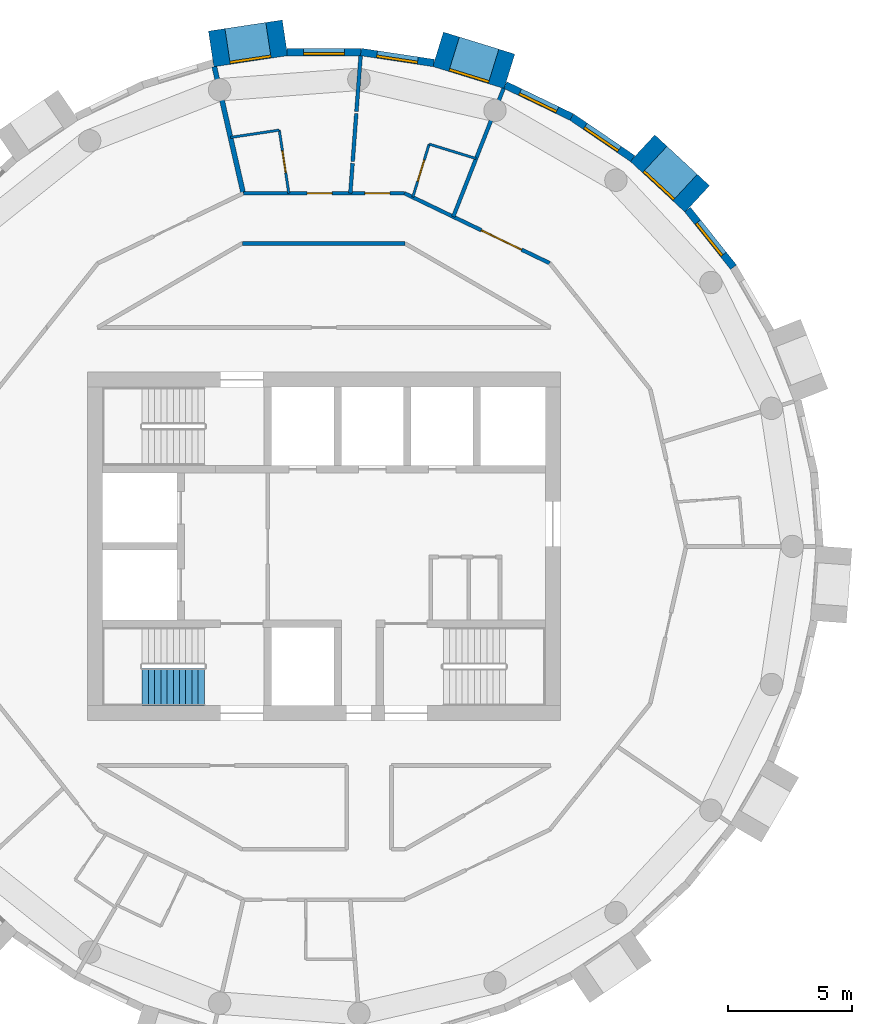
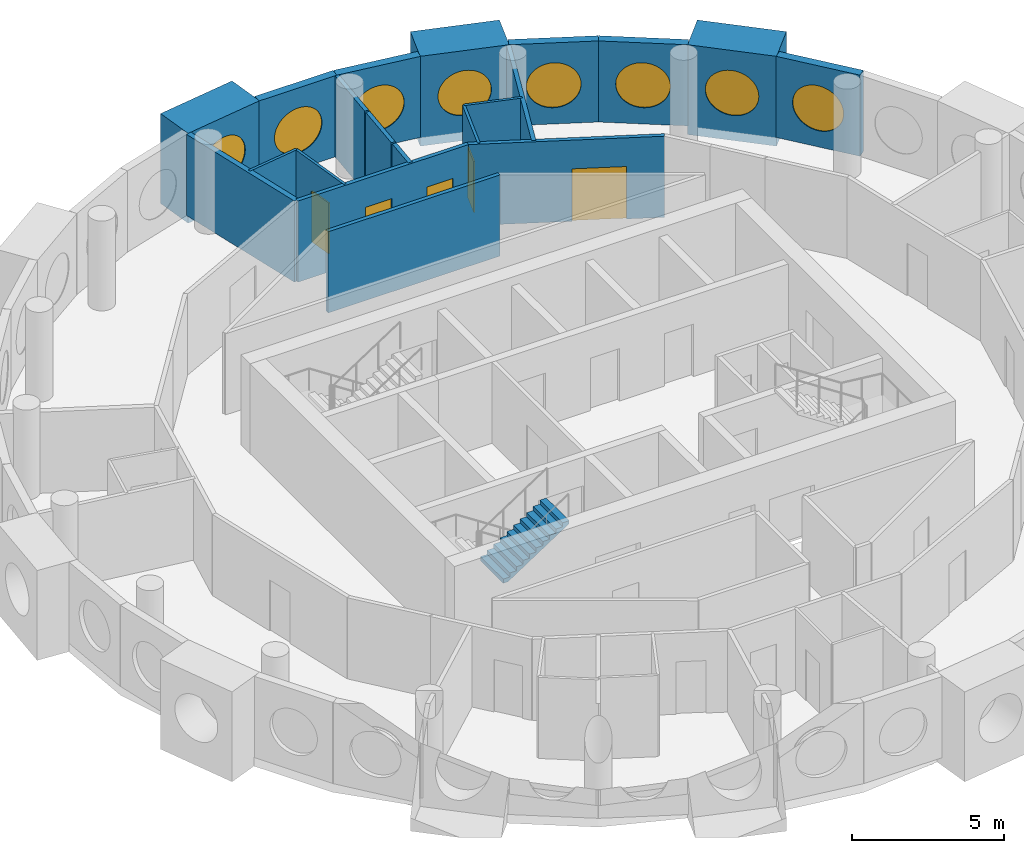
# One storey, part 11 of 13: 20 walls, 8 windows, 5 doors, 1 stair flight, 13 openings, 1 element without a shape of its own.
"""IFC4 building model written with IfcOpenShell, lengths in metres."""

from ifc_helpers import new_model, si_unit, direction, frame, frame_2d, origin, origin_2d, place, context, subcontext, project, spatial, polyline, rectangle, circle, outline, extrude, material, layer, layer_set, type_object, element, fill, aggregate, save


model = new_model("IFC4")

# Units and contexts
model_context = context("Model", 3, precision=1e-05, world=origin(), true_north=direction((0.0, 1.0)))
body_context = subcontext(model_context, "Body", "Model", "MODEL_VIEW")
ifc_project = project(units=[si_unit("LENGTHUNIT", "METRE"), si_unit("AREAUNIT", "SQUARE_METRE"), si_unit("VOLUMEUNIT", "CUBIC_METRE"), si_unit("PLANEANGLEUNIT", "RADIAN"), si_unit("MASSUNIT", "GRAM", prefix="KILO")], contexts=[model_context])

# Site, building, storey
site_placement = place(None, origin())
site = spatial("IfcSite", under=ifc_project, at=site_placement, CompositionType="ELEMENT")
building_placement = place(site_placement, origin())
building = spatial("IfcBuilding", under=site, at=building_placement, Name="Tracery Tower", CompositionType="ELEMENT")
storey_placement = place(building_placement, frame((0.0, 0.0, 294.60009765625)))
storey = spatial("IfcBuildingStorey", under=building, at=storey_placement, Name="L76", CompositionType="ELEMENT", Elevation=294.60009765625)

# Wall, opening, window
ifc_material_1 = material(Name="Precast concrete C50/60", Category="concrete")
ifc_layer_1 = layer(ifc_material_1, 1.449951171875)
ifc_layer_set_1 = layer_set([ifc_layer_1], Name="Deep-set bay unit 3000 x 3600, slab edge 350")
wall_type_1 = type_object("IfcWallType", Name="Deep-set bay unit 3000 x 3600, slab edge 350", PredefinedType="ELEMENTEDWALL", material=ifc_layer_set_1)
wall_1_placement = place(storey_placement, frame((15.0029296875, 13.964111328125, -0.35009765625), z_axis=(0.0, 0.0, 1.0), x_axis=(-0.733022439167, 0.680204457261, 0.0)))
wall_1 = element("IfcWall", 1, at=wall_1_placement, inside=storey, type_object=wall_type_1, Name="Deep-set bay unit 6 at L76", PredefinedType="ELEMENTEDWALL", context=body_context, shape_type="SweptSolid", body=[
    extrude(rectangle(XDim=2.999755859375, YDim=1.449951171875, at=frame_2d((1.5, 0.0))), origin(), (0.0, 0.0, 1.0), 3.60009765625),
])
opening_1_placement = place(wall_1_placement, frame((1.5, 0.0, 1.89990234375)))
opening_1 = element("IfcOpeningElement", 2, at=opening_1_placement, cuts=wall_1, Name="Opening WN1", PredefinedType="OPENING", context=body_context, shape_type="SweptSolid", body=[
    extrude(circle(Radius=0.9000244140625, at=origin_2d()), frame((0.0, 0.73486328125, 0.0), z_axis=(0.0, -1.0, 0.0), x_axis=(1.0, 0.0, 0.0)), (0.0, 0.0, 1.0), 1.469970703125),
])
ifc_material_2 = material(Name="Aluminium frame with tinted double glazing", Category="aluminium")
window_type = type_object("IfcWindowType", Name="Round window 1800", PartitioningType="SINGLE_PANEL", PredefinedType="WINDOW", material=ifc_material_2)
window_1_placement = place(opening_1_placement, origin())
window_1 = element("IfcWindow", 3, at=window_1_placement, inside=storey, type_object=window_type, Name="Round window 6 at L76", OverallHeight=1.800048828125, OverallWidth=1.800048828125, PartitioningType="SINGLE_PANEL", PredefinedType="WINDOW", context=body_context, shape_type="SweptSolid", body=[
    extrude(circle(Radius=0.9000244140625, at=origin_2d()), frame((0.0, 0.69482421875, 0.0), z_axis=(0.0, -1.0, 0.0), x_axis=(1.0, 0.0, 0.0)), (0.0, 0.0, 1.0), 0.10009765625),
])
fill(opening_1, window_1)

wall_2_placement = place(storey_placement, frame((7.45849609375, 19.0908203125, -0.35009765625), z_axis=(0.0, 0.0, 1.0), x_axis=(-0.955571139978, 0.294760574774, 0.0)))
wall_2 = element("IfcWall", 4, at=wall_2_placement, inside=storey, type_object=wall_type_1, Name="Deep-set bay unit 9 at L76", PredefinedType="ELEMENTEDWALL", context=body_context, shape_type="SweptSolid", body=[
    extrude(rectangle(XDim=3.0, YDim=1.449951171875, at=frame_2d((1.5, 0.0))), origin(), (0.0, 0.0, 1.0), 3.60009765625),
])
opening_2_placement = place(wall_2_placement, frame((1.5, 0.0, 1.89990234375)))
opening_2 = element("IfcOpeningElement", 5, at=opening_2_placement, cuts=wall_2, Name="Opening WN1", PredefinedType="OPENING", context=body_context, shape_type="SweptSolid", body=[
    extrude(circle(Radius=0.9000244140625, at=origin_2d()), frame((0.0, 0.73486328125, 0.0), z_axis=(0.0, -1.0, 0.0), x_axis=(1.0, 0.0, 0.0)), (0.0, 0.0, 1.0), 1.469970703125),
])
window_2_placement = place(opening_2_placement, origin())
window_2 = element("IfcWindow", 6, at=window_2_placement, inside=storey, type_object=window_type, Name="Round window 9 at L76", OverallHeight=1.800048828125, OverallWidth=1.800048828125, PartitioningType="SINGLE_PANEL", PredefinedType="WINDOW", context=body_context, shape_type="SweptSolid", body=[
    extrude(circle(Radius=0.9000244140625, at=origin_2d()), frame((0.0, 0.69482421875, 0.0), z_axis=(0.0, -1.0, 0.0), x_axis=(1.0, 0.0, 0.0)), (0.0, 0.0, 1.0), 0.10009765625),
])
fill(opening_2, window_2)

wall_3_placement = place(storey_placement, frame((-1.563232421875, 20.436279296875, -0.35009765625), z_axis=(0.0, 0.0, 1.0), x_axis=(-0.988836445254, -0.149004981587, 0.0)))
wall_3 = element("IfcWall", 7, at=wall_3_placement, inside=storey, type_object=wall_type_1, Name="Deep-set bay unit 12 at L76", PredefinedType="ELEMENTEDWALL", context=body_context, shape_type="SweptSolid", body=[
    extrude(rectangle(XDim=3.0, YDim=1.449951171875, at=frame_2d((1.5, 0.0))), origin(), (0.0, 0.0, 1.0), 3.60009765625),
])
opening_3_placement = place(wall_3_placement, frame((1.5, 0.0, 1.89990234375)))
opening_3 = element("IfcOpeningElement", 8, at=opening_3_placement, cuts=wall_3, Name="Opening WN1", PredefinedType="OPENING", context=body_context, shape_type="SweptSolid", body=[
    extrude(circle(Radius=0.9000244140625, at=origin_2d()), frame((0.0, 0.73486328125, 0.0), z_axis=(0.0, -1.0, 0.0), x_axis=(1.0, 0.0, 0.0)), (0.0, 0.0, 1.0), 1.469970703125),
])
window_3_placement = place(opening_3_placement, origin())
window_3 = element("IfcWindow", 9, at=window_3_placement, inside=storey, type_object=window_type, Name="Round window 12 at L76", OverallHeight=1.800048828125, OverallWidth=1.800048828125, PartitioningType="SINGLE_PANEL", PredefinedType="WINDOW", context=body_context, shape_type="SweptSolid", body=[
    extrude(circle(Radius=0.9000244140625, at=origin_2d()), frame((0.0, 0.69482421875, 0.0), z_axis=(0.0, -1.0, 0.0), x_axis=(1.0, 0.0, 0.0)), (0.0, 0.0, 1.0), 0.10009765625),
])
fill(opening_3, window_3)

ifc_material_3 = material(Name="Precast concrete C50/60", Category="concrete")
ifc_layer_2 = layer(ifc_material_3, 0.300048828125)
ifc_layer_set_2 = layer_set([ifc_layer_2], Name="Facade panel 3000 x 3250")
wall_type_2 = type_object("IfcWallType", Name="Facade panel 3000 x 3250", PredefinedType="SOLIDWALL", material=ifc_layer_set_2)
wall_4_placement = place(storey_placement, frame((16.460205078125, 11.222412109375, 0.0), z_axis=(0.0, 0.0, 1.0), x_axis=(-0.623498236992, 0.781824755599, 0.0)))
wall_4 = element("IfcWall", 10, at=wall_4_placement, inside=storey, type_object=wall_type_2, Name="Facade panel 5 at L76", PredefinedType="SOLIDWALL", context=body_context, shape_type="SweptSolid", body=[
    extrude(rectangle(XDim=2.962158203125, YDim=0.300048828125, at=frame_2d((1.48095703125, 0.0))), origin(), (0.0, 0.0, 1.0), 3.25),
])
opening_4_placement = place(wall_4_placement, frame((1.48095703125, 0.0, 1.5498046875)))
opening_4 = element("IfcOpeningElement", 11, at=opening_4_placement, cuts=wall_4, Name="Opening WN1", PredefinedType="OPENING", context=body_context, shape_type="SweptSolid", body=[
    extrude(circle(Radius=0.9000244140625, at=origin_2d()), frame((0.0, 0.159912109375, 0.0), z_axis=(0.0, -1.0, 0.0), x_axis=(1.0, 0.0, 0.0)), (0.0, 0.0, 1.0), 0.320068359375),
])
window_4_placement = place(opening_4_placement, origin())
window_4 = element("IfcWindow", 12, at=window_4_placement, inside=storey, type_object=window_type, Name="Round window 5 at L76", OverallHeight=1.800048828125, OverallWidth=1.800048828125, PartitioningType="SINGLE_PANEL", PredefinedType="WINDOW", context=body_context, shape_type="SweptSolid", body=[
    extrude(circle(Radius=0.9000244140625, at=origin_2d()), frame((0.0, 0.1201171875, 0.0), z_axis=(0.0, -1.0, 0.0), x_axis=(1.0, 0.0, 0.0)), (0.0, 0.0, 1.0), 0.10009765625),
])
fill(opening_4, window_4)

wall_5_placement = place(storey_placement, frame((12.408447265625, 15.583984375, 0.0), z_axis=(0.0, 0.0, 1.0), x_axis=(-0.826236061068, 0.563324037646, 0.0)))
wall_5 = element("IfcWall", 13, at=wall_5_placement, inside=storey, type_object=wall_type_2, Name="Facade panel 7 at L76", PredefinedType="SOLIDWALL", context=body_context, shape_type="SweptSolid", body=[
    extrude(rectangle(XDim=2.962158203125, YDim=0.300048828125, at=frame_2d((1.48095703125, 0.0))), origin(), (0.0, 0.0, 1.0), 3.25),
])
opening_5_placement = place(wall_5_placement, frame((1.48095703125, 0.0, 1.5498046875)))
opening_5 = element("IfcOpeningElement", 14, at=opening_5_placement, cuts=wall_5, Name="Opening WN1", PredefinedType="OPENING", context=body_context, shape_type="SweptSolid", body=[
    extrude(circle(Radius=0.9000244140625, at=origin_2d()), frame((0.0, 0.159912109375, 0.0), z_axis=(0.0, -1.0, 0.0), x_axis=(1.0, 0.0, 0.0)), (0.0, 0.0, 1.0), 0.320068359375),
])
window_5_placement = place(opening_5_placement, origin())
window_5 = element("IfcWindow", 15, at=window_5_placement, inside=storey, type_object=window_type, Name="Round window 7 at L76", OverallHeight=1.800048828125, OverallWidth=1.800048828125, PartitioningType="SINGLE_PANEL", PredefinedType="WINDOW", context=body_context, shape_type="SweptSolid", body=[
    extrude(circle(Radius=0.9000244140625, at=origin_2d()), frame((0.0, 0.1201171875, 0.0), z_axis=(0.0, -1.0, 0.0), x_axis=(1.0, 0.0, 0.0)), (0.0, 0.0, 1.0), 0.10009765625),
])
fill(opening_5, window_5)

wall_6_placement = place(storey_placement, frame((9.9609375, 17.252685546875, 0.0), z_axis=(0.0, 0.0, 1.0), x_axis=(-0.90095513435, 0.433912255978, 0.0)))
wall_6 = element("IfcWall", 16, at=wall_6_placement, inside=storey, type_object=wall_type_2, Name="Facade panel 8 at L76", PredefinedType="SOLIDWALL", context=body_context, shape_type="SweptSolid", body=[
    extrude(rectangle(XDim=2.96240234375, YDim=0.300048828125, at=frame_2d((1.481201171875, 0.0))), origin(), (0.0, 0.0, 1.0), 3.25),
])
opening_6_placement = place(wall_6_placement, frame((1.48095703125, 0.0, 1.5498046875)))
opening_6 = element("IfcOpeningElement", 17, at=opening_6_placement, cuts=wall_6, Name="Opening WN1", PredefinedType="OPENING", context=body_context, shape_type="SweptSolid", body=[
    extrude(circle(Radius=0.9000244140625, at=origin_2d()), frame((0.0, 0.159912109375, 0.0), z_axis=(0.0, -1.0, 0.0), x_axis=(1.0, 0.0, 0.0)), (0.0, 0.0, 1.0), 0.320068359375),
])
window_6_placement = place(opening_6_placement, origin())
window_6 = element("IfcWindow", 18, at=window_6_placement, inside=storey, type_object=window_type, Name="Round window 8 at L76", OverallHeight=1.800048828125, OverallWidth=1.800048828125, PartitioningType="SINGLE_PANEL", PredefinedType="WINDOW", context=body_context, shape_type="SweptSolid", body=[
    extrude(circle(Radius=0.9000244140625, at=origin_2d()), frame((0.0, 0.1201171875, 0.0), z_axis=(0.0, -1.0, 0.0), x_axis=(1.0, 0.0, 0.0)), (0.0, 0.0, 1.0), 0.10009765625),
])
fill(opening_6, window_6)

wall_7_placement = place(storey_placement, frame((4.41796875, 19.424560546875, 0.0), z_axis=(0.0, 0.0, 1.0), x_axis=(-0.988835775663, 0.149009425104, 0.0)))
wall_7 = element("IfcWall", 19, at=wall_7_placement, inside=storey, type_object=wall_type_2, Name="Facade panel 10 at L76", PredefinedType="SOLIDWALL", context=body_context, shape_type="SweptSolid", body=[
    extrude(rectangle(XDim=2.962158203125, YDim=0.300048828125, at=frame_2d((1.48095703125, 0.0))), origin(), (0.0, 0.0, 1.0), 3.25),
])
opening_7_placement = place(wall_7_placement, frame((1.48095703125, 0.0, 1.5498046875)))
opening_7 = element("IfcOpeningElement", 20, at=opening_7_placement, cuts=wall_7, Name="Opening WN1", PredefinedType="OPENING", context=body_context, shape_type="SweptSolid", body=[
    extrude(circle(Radius=0.9000244140625, at=origin_2d()), frame((0.0, 0.159912109375, 0.0), z_axis=(0.0, -1.0, 0.0), x_axis=(1.0, 0.0, 0.0)), (0.0, 0.0, 1.0), 0.320068359375),
])
window_7_placement = place(opening_7_placement, origin())
window_7 = element("IfcWindow", 21, at=window_7_placement, inside=storey, type_object=window_type, Name="Round window 10 at L76", OverallHeight=1.800048828125, OverallWidth=1.800048828125, PartitioningType="SINGLE_PANEL", PredefinedType="WINDOW", context=body_context, shape_type="SweptSolid", body=[
    extrude(circle(Radius=0.9000244140625, at=origin_2d()), frame((0.0, 0.1201171875, 0.0), z_axis=(0.0, -1.0, 0.0), x_axis=(1.0, 0.0, 0.0)), (0.0, 0.0, 1.0), 0.10009765625),
])
fill(opening_7, window_7)

wall_8_placement = place(storey_placement, frame((1.48876953125, 19.865966796875, 0.0), z_axis=(0.0, 0.0, 1.0), x_axis=(-1.0, 0.0, 0.0)))
wall_8 = element("IfcWall", 22, at=wall_8_placement, inside=storey, type_object=wall_type_2, Name="Facade panel 11 at L76", PredefinedType="SOLIDWALL", context=body_context, shape_type="SweptSolid", body=[
    extrude(rectangle(XDim=2.962158203125, YDim=0.300048828125, at=frame_2d((1.48095703125, 0.0))), origin(), (0.0, 0.0, 1.0), 3.25),
])
opening_8_placement = place(wall_8_placement, frame((1.48095703125, 0.0, 1.5498046875)))
opening_8 = element("IfcOpeningElement", 23, at=opening_8_placement, cuts=wall_8, Name="Opening WN1", PredefinedType="OPENING", context=body_context, shape_type="SweptSolid", body=[
    extrude(circle(Radius=0.9000244140625, at=origin_2d()), frame((0.0, 0.159912109375, 0.0), z_axis=(0.0, -1.0, 0.0), x_axis=(1.0, 0.0, 0.0)), (0.0, 0.0, 1.0), 0.320068359375),
])
window_8_placement = place(opening_8_placement, origin())
window_8 = element("IfcWindow", 24, at=window_8_placement, inside=storey, type_object=window_type, Name="Round window 11 at L76", OverallHeight=1.800048828125, OverallWidth=1.800048828125, PartitioningType="SINGLE_PANEL", PredefinedType="WINDOW", context=body_context, shape_type="SweptSolid", body=[
    extrude(circle(Radius=0.9000244140625, at=origin_2d()), frame((0.0, 0.1201171875, 0.0), z_axis=(0.0, -1.0, 0.0), x_axis=(1.0, 0.0, 0.0)), (0.0, 0.0, 1.0), 0.10009765625),
])
fill(opening_8, window_8)

# Wall
ifc_material_4 = material(Name="Plasterboard on steel studs", Category="steel")
ifc_layer_3 = layer(ifc_material_4, 0.10009765625)
ifc_layer_set_3 = layer_set([ifc_layer_3], Name="Partition 100 wet wall")
wall_type_3 = type_object("IfcWallType", Name="Partition 100 wet wall", PredefinedType="PARTITIONING", material=ifc_layer_set_3)
wall_9_placement = place(storey_placement, frame((4.23095703125, 16.166015625, 0.0), z_axis=(0.0, 0.0, 1.0), x_axis=(0.955671951668, -0.294433559219, 0.0)))
element("IfcWall", 25, at=wall_9_placement, inside=storey, type_object=wall_type_3, Name="Wet wall RC7-048", PredefinedType="PARTITIONING", context=body_context, shape_type="SweptSolid", body=[
    extrude(rectangle(XDim=1.973388671875, YDim=0.10009765625, at=frame_2d((0.98681640625, 0.0))), origin(), (0.0, 0.0, 1.0), 3.25),
])

# Wall, opening, door
wall_10_placement = place(storey_placement, frame((3.572021484375, 14.031982421875, 0.0), z_axis=(0.0, 0.0, 1.0), x_axis=(0.295030507093, 0.955487833457, 0.0)))
wall_10 = element("IfcWall", 26, at=wall_10_placement, inside=storey, type_object=wall_type_3, Name="Wet wall RC7-049", PredefinedType="PARTITIONING", context=body_context, shape_type="SweptSolid", body=[
    extrude(rectangle(XDim=2.2333984375, YDim=0.10009765625, at=frame_2d((1.11669921875, 0.0))), origin(), (0.0, 0.0, 1.0), 3.25),
])
opening_9_placement = place(wall_10_placement, frame((0.66650390625, 0.0, 0.0)))
opening_9 = element("IfcOpeningElement", 27, at=opening_9_placement, cuts=wall_10, Name="Opening RC7-07", PredefinedType="OPENING", context=body_context, shape_type="SweptSolid", body=[
    extrude(rectangle(XDim=0.89990234375, YDim=2.0400390625, at=frame_2d((0.449951171875, 1.02001953125))), frame((0.0, 0.050048828125, 0.0), z_axis=(0.0, -1.0, 0.0), x_axis=(1.0, 0.0, 0.0)), (0.0, 0.0, 1.0), 0.10009765625),
])
ifc_material_5 = material(Name="Timber door leaf", Category="wood")
door_type_1 = type_object("IfcDoorType", Name="Door en-suite 900", OperationType="NOTDEFINED", PredefinedType="DOOR", material=ifc_material_5)
door_1_placement = place(opening_9_placement, origin())
door_1 = element("IfcDoor", 28, at=door_1_placement, inside=storey, type_object=door_type_1, Name="En-suite door RC7-07", OperationType="SINGLE_SWING_RIGHT", OverallHeight=2.0400390625, OverallWidth=0.89990234375, PredefinedType="DOOR", context=body_context, shape_type="SweptSolid", body=[
    extrude(rectangle(XDim=0.89990234375, YDim=2.0400390625, at=frame_2d((0.449951171875, 1.02001953125))), frame((0.0, 0.02490234375, 0.0), z_axis=(0.0, -1.0, 0.0), x_axis=(1.0, 0.0, 0.0)), (0.0, 0.0, 1.0), 0.050048828125),
])
fill(opening_9, door_1)

wall_11_placement = place(storey_placement, frame((-1.791015625, 16.72900390625, 0.0), z_axis=(0.0, 0.0, 1.0), x_axis=(0.149289553133, -0.988793522089, 0.0)))
wall_11 = element("IfcWall", 29, at=wall_11_placement, inside=storey, type_object=wall_type_3, Name="Wet wall RC7-053", PredefinedType="PARTITIONING", context=body_context, shape_type="SweptSolid", body=[
    extrude(rectangle(XDim=2.56591796875, YDim=0.10009765625, at=frame_2d((1.282958984375, 0.0))), origin(), (0.0, 0.0, 1.0), 3.25),
])
opening_10_placement = place(wall_11_placement, frame((0.832763671875, 0.0, 0.0)))
opening_10 = element("IfcOpeningElement", 30, at=opening_10_placement, cuts=wall_11, Name="Opening RC7-09", PredefinedType="OPENING", context=body_context, shape_type="SweptSolid", body=[
    extrude(rectangle(XDim=0.89990234375, YDim=2.0400390625, at=frame_2d((0.449951171875, 1.02001953125))), frame((0.0, 0.050048828125, 0.0), z_axis=(0.0, -1.0, 0.0), x_axis=(1.0, 0.0, 0.0)), (0.0, 0.0, 1.0), 0.10009765625),
])
door_2_placement = place(opening_10_placement, origin())
door_2 = element("IfcDoor", 31, at=door_2_placement, inside=storey, type_object=door_type_1, Name="En-suite door RC7-09", OperationType="SINGLE_SWING_RIGHT", OverallHeight=2.0400390625, OverallWidth=0.89990234375, PredefinedType="DOOR", context=body_context, shape_type="SweptSolid", body=[
    extrude(rectangle(XDim=0.89990234375, YDim=2.0400390625, at=frame_2d((0.449951171875, 1.02001953125))), frame((0.0, 0.02490234375, 0.0), z_axis=(0.0, -1.0, 0.0), x_axis=(1.0, 0.0, 0.0)), (0.0, 0.0, 1.0), 0.050048828125),
])
fill(opening_10, door_2)

# Walls
wall_12_placement = place(storey_placement, frame((-3.7509765625, 16.43408203125, 0.0), z_axis=(0.0, 0.0, 1.0), x_axis=(0.988867580828, 0.148798210967, 0.0)))
element("IfcWall", 32, at=wall_12_placement, inside=storey, type_object=wall_type_3, Name="Wet wall RC7-054", PredefinedType="PARTITIONING", context=body_context, shape_type="SweptSolid", body=[
    extrude(rectangle(XDim=1.98193359375, YDim=0.10009765625, at=frame_2d((0.990966796875, 0.0))), origin(), (0.0, 0.0, 1.0), 3.25),
])
ifc_material_6 = material(Name="Plasterboard on steel studs", Category="steel")
ifc_layer_4 = layer(ifc_material_6, 0.14990234375)
ifc_layer_set_4 = layer_set([ifc_layer_4], Name="Partition 150 acoustic unit wall")
wall_type_4 = type_object("IfcWallType", Name="Partition 150 acoustic unit wall", PredefinedType="PARTITIONING", material=ifc_layer_set_4)
wall_13_placement = place(storey_placement, frame((5.19970703125, 13.247802734375, 0.0), z_axis=(0.0, 0.0, 1.0), x_axis=(0.365205108582, 0.930927080209, 0.0)))
element("IfcWall", 33, at=wall_13_placement, inside=storey, type_object=wall_type_4, Name="Unit wall RC7-047", PredefinedType="PARTITIONING", context=body_context, shape_type="SweptSolid", body=[
    extrude(rectangle(XDim=5.539794921875, YDim=0.14990234375, at=frame_2d((2.77001953125, 0.0))), origin(), (0.0, 0.0, 1.0), 3.25),
])
wall_14_placement = place(storey_placement, frame((1.06396484375, 14.19189453125, 0.0), z_axis=(0.0, 0.0, 1.0), x_axis=(0.074608991733, 0.997212865116, 0.0)))
element("IfcWall", 34, at=wall_14_placement, inside=storey, type_object=wall_type_4, Name="Unit wall RC7-050", PredefinedType="PARTITIONING", context=body_context, shape_type="SweptSolid", body=[
    extrude(rectangle(XDim=1.20751953125, YDim=0.14990234375, at=frame_2d((0.603759765625, 0.0))), origin(), (0.0, 0.0, 1.0), 3.25),
])
wall_15_placement = place(storey_placement, frame((1.30908203125, 17.472900390625, 0.0), z_axis=(0.0, 0.0, 1.0), x_axis=(0.075102921739, 0.997175787485, 0.0)))
element("IfcWall", 35, at=wall_15_placement, inside=storey, type_object=wall_type_4, Name="Unit wall RC7-051", PredefinedType="PARTITIONING", context=body_context, shape_type="SweptSolid", body=[
    extrude(rectangle(XDim=2.24951171875, YDim=0.14990234375, at=frame_2d((1.124755859375, 0.0))), origin(), (0.0, 0.0, 1.0), 3.25),
])
wall_16_placement = place(storey_placement, frame((1.159912109375, 15.472900390625, 0.0), z_axis=(0.0, 0.0, 1.0), x_axis=(0.074188791375, 0.99724421444, 0.0)))
element("IfcWall", 36, at=wall_16_placement, inside=storey, type_object=wall_type_4, Name="Unit wall RC7-052", PredefinedType="PARTITIONING", context=body_context, shape_type="SweptSolid", body=[
    extrude(rectangle(XDim=1.928466796875, YDim=0.14990234375, at=frame_2d((0.96435546875, 0.0))), origin(), (0.0, 0.0, 1.0), 3.25),
])
ifc_material_7 = material(Name="Plasterboard on steel studs", Category="steel")
ifc_layer_5 = layer(ifc_material_7, 0.14990234375)
ifc_layer_set_5 = layer_set([ifc_layer_5], Name="Partition 150 corridor wall")
wall_type_5 = type_object("IfcWallType", Name="Partition 150 corridor wall", PredefinedType="PARTITIONING", material=ifc_layer_set_5)
wall_17_placement = place(storey_placement, frame((-3.260986328125, 12.1708984375, 0.0), z_axis=(0.0, 0.0, 1.0), x_axis=(1.0, 0.0, 0.0)))
element("IfcWall", 37, at=wall_17_placement, inside=storey, type_object=wall_type_5, Name="Corridor wall RC7-025", PredefinedType="PARTITIONING", context=body_context, shape_type="SweptSolid", body=[
    extrude(rectangle(XDim=6.52197265625, YDim=0.14990234375, at=frame_2d((3.260986328125, 0.0))), origin(), (0.0, 0.0, 1.0), 3.25),
])

# Wall, opening, door
wall_18_placement = place(storey_placement, frame((3.239013671875, 14.19189453125, 0.0), z_axis=(0.0, 0.0, 1.0), x_axis=(0.900976027191, -0.433868872388, 0.0)))
wall_18 = element("IfcWall", 38, at=wall_18_placement, inside=storey, type_object=wall_type_5, Name="Corridor wall RC7-026", PredefinedType="PARTITIONING", context=body_context, shape_type="SweptSolid", body=[
    extrude(rectangle(XDim=6.478515625, YDim=0.14990234375, at=frame_2d((3.2392578125, 0.0))), origin(), (0.0, 0.0, 1.0), 3.25),
])
opening_11_placement = place(wall_18_placement, frame((3.425048828125, 0.0, 0.0)))
opening_11 = element("IfcOpeningElement", 39, at=opening_11_placement, cuts=wall_18, Name="Opening RC7-06", PredefinedType="OPENING", context=body_context, shape_type="SweptSolid", body=[
    extrude(rectangle(XDim=1.800048828125, YDim=2.10009765625, at=frame_2d((0.89990234375, 1.050048828125))), frame((0.0, 0.074951171875, 0.0), z_axis=(0.0, -1.0, 0.0), x_axis=(1.0, 0.0, 0.0)), (0.0, 0.0, 1.0), 0.14990234375),
])
ifc_material_8 = material(Name="Timber door leaf", Category="wood")
door_type_2 = type_object("IfcDoorType", Name="Door double lounge 1800", OperationType="NOTDEFINED", PredefinedType="DOOR", material=ifc_material_8)
door_3_placement = place(opening_11_placement, origin())
door_3 = element("IfcDoor", 40, at=door_3_placement, inside=storey, type_object=door_type_2, Name="Double lounge door RC7-06", OperationType="DOUBLE_DOOR_SINGLE_SWING", OverallHeight=2.10009765625, OverallWidth=1.800048828125, PredefinedType="DOOR", context=body_context, shape_type="SweptSolid", body=[
    extrude(rectangle(XDim=1.800048828125, YDim=2.10009765625, at=frame_2d((0.89990234375, 1.050048828125))), frame((0.0, 0.02490234375, 0.0), z_axis=(0.0, -1.0, 0.0), x_axis=(1.0, 0.0, 0.0)), (0.0, 0.0, 1.0), 0.050048828125),
])
fill(opening_11, door_3)

# Wall, openings, doors
wall_19_placement = place(storey_placement, frame((-3.239013671875, 14.19189453125, 0.0), z_axis=(0.0, 0.0, 1.0), x_axis=(1.0, 0.0, 0.0)))
wall_19 = element("IfcWall", 41, at=wall_19_placement, inside=storey, type_object=wall_type_5, Name="Corridor wall RC7-028", PredefinedType="PARTITIONING", context=body_context, shape_type="SweptSolid", body=[
    extrude(rectangle(XDim=6.47802734375, YDim=0.14990234375, at=frame_2d((3.239013671875, 0.0))), origin(), (0.0, 0.0, 1.0), 3.25),
])
opening_12_placement = place(wall_19_placement, frame((4.887939453125, 0.0, 0.0)))
opening_12 = element("IfcOpeningElement", 42, at=opening_12_placement, cuts=wall_19, Name="Opening RC7-08", PredefinedType="OPENING", context=body_context, shape_type="SweptSolid", body=[
    extrude(rectangle(XDim=1.0, YDim=2.10009765625, at=frame_2d((0.5, 1.050048828125))), frame((0.0, 0.074951171875, 0.0), z_axis=(0.0, -1.0, 0.0), x_axis=(1.0, 0.0, 0.0)), (0.0, 0.0, 1.0), 0.14990234375),
])
opening_13_placement = place(wall_19_placement, frame((2.56689453125, 0.0, 0.0)))
opening_13 = element("IfcOpeningElement", 43, at=opening_13_placement, cuts=wall_19, Name="Opening RC7-10", PredefinedType="OPENING", context=body_context, shape_type="SweptSolid", body=[
    extrude(rectangle(XDim=1.0, YDim=2.10009765625, at=frame_2d((0.5, 1.050048828125))), frame((0.0, 0.074951171875, 0.0), z_axis=(0.0, -1.0, 0.0), x_axis=(1.0, 0.0, 0.0)), (0.0, 0.0, 1.0), 0.14990234375),
])
ifc_material_9 = material(Name="Timber door leaf", Category="wood")
door_type_3 = type_object("IfcDoorType", Name="Door unit entrance 1000", OperationType="NOTDEFINED", PredefinedType="DOOR", material=ifc_material_9)
door_4_placement = place(opening_12_placement, origin())
door_4 = element("IfcDoor", 44, at=door_4_placement, inside=storey, type_object=door_type_3, Name="Unit entrance door RC7-08", OperationType="SINGLE_SWING_LEFT", OverallHeight=2.10009765625, OverallWidth=1.0, PredefinedType="DOOR", context=body_context, shape_type="SweptSolid", body=[
    extrude(rectangle(XDim=1.0, YDim=2.10009765625, at=frame_2d((0.5, 1.050048828125))), frame((0.0, 0.02490234375, 0.0), z_axis=(0.0, -1.0, 0.0), x_axis=(1.0, 0.0, 0.0)), (0.0, 0.0, 1.0), 0.050048828125),
])
fill(opening_12, door_4)
door_5_placement = place(opening_13_placement, origin())
door_5 = element("IfcDoor", 45, at=door_5_placement, inside=storey, type_object=door_type_3, Name="Unit entrance door RC7-10", OperationType="SINGLE_SWING_RIGHT", OverallHeight=2.10009765625, OverallWidth=1.0, PredefinedType="DOOR", context=body_context, shape_type="SweptSolid", body=[
    extrude(rectangle(XDim=1.0, YDim=2.10009765625, at=frame_2d((0.5, 1.050048828125))), frame((0.0, 0.02490234375, 0.0), z_axis=(0.0, -1.0, 0.0), x_axis=(1.0, 0.0, 0.0)), (0.0, 0.0, 1.0), 0.050048828125),
])
fill(opening_13, door_5)

# Wall
ifc_material_10 = material(Name="Plasterboard on steel studs", Category="steel")
ifc_layer_6 = layer(ifc_material_10, 0.199951171875)
ifc_layer_set_6 = layer_set([ifc_layer_6], Name="Partition 200 compartment wall")
wall_type_6 = type_object("IfcWallType", Name="Partition 200 compartment wall", PredefinedType="PARTITIONING", material=ifc_layer_set_6)
wall_20_placement = place(storey_placement, frame((-4.39990234375, 19.27587890625, 0.0), z_axis=(0.0, 0.0, 1.0), x_axis=(0.222612505682, -0.974907007008, 0.0)))
element("IfcWall", 46, at=wall_20_placement, inside=storey, type_object=wall_type_6, Name="Compartment wall RC7-055", PredefinedType="PARTITIONING", context=body_context, shape_type="SweptSolid", body=[
    extrude(rectangle(XDim=5.21484375, YDim=0.199951171875, at=frame_2d((2.607421875, 0.0))), origin(), (0.0, 0.0, 1.0), 3.25),
])

# Stair, stair flight
ifc_material_11 = material(Name="Concrete C32/40", Category="concrete")
stair_type = type_object("IfcStairType", Name="Core stair 22 risers", PredefinedType="HALF_TURN_STAIR", material=ifc_material_11)
stair_placement = place(storey_placement, origin())
stair = element("IfcStair", 47, at=stair_placement, inside=storey, type_object=stair_type, Name="L76 stair ST1", PredefinedType="HALF_TURN_STAIR")
ifc_material_12 = material(Name="Concrete C32/40", Category="concrete")
stair_flight_type = type_object("IfcStairFlightType", Name="Core stair flight 11 risers", PredefinedType="STRAIGHT", material=ifc_material_12)
stair_flight_placement = place(storey_placement, frame((-7.300048828125, -5.64990234375, 1.7998046875), z_axis=(0.0, 0.0, 1.0), x_axis=(1.0, 0.0, 0.0)))
stair_flight = element("IfcStairFlight", 48, at=stair_flight_placement, type_object=stair_flight_type, Name="ST1 flight 2", NumberOfRisers=11, NumberOfTreads=10, PredefinedType="STRAIGHT", RiserHeight=0.163636364, TreadLength=0.25, context=body_context, shape_type="SweptSolid", body=[
    extrude(outline(polyline([(0.0, 0.0), (0.0, 0.002685546875), (0.0, 0.00537109375), (0.0, 0.008056640625), (0.0, 0.0107421875), (0.0, 0.013427734375), (0.0, 0.01611328125), (0.0, 0.018798828125), (0.0, 0.021484375), (0.0, 0.024169921875), (0.0, 0.02685546875), (0.0, 0.029541015625), (0.0, 0.0322265625), (0.0, 0.034912109375), (0.0, 0.03759765625), (0.0, 0.040283203125), (0.0, 0.04296875), (0.0, 0.045654296875), (0.0, 0.04833984375), (0.0, 0.051025390625), (0.0, 0.0537109375), (0.0, 0.056396484375), (0.0, 0.05908203125), (0.0, 0.061767578125), (0.0, 0.064453125), (0.0, 0.067138671875), (0.0, 0.06982421875), (0.0, 0.072509765625), (0.0, 0.0751953125), (0.0, 0.077880859375), (0.0, 0.08056640625), (0.0, 0.083251953125), (0.0, 0.0859375), (0.0, 0.088623046875), (0.0, 0.09130859375), (0.0, 0.093994140625), (0.0, 0.0966796875), (0.0, 0.099365234375), (0.0, 0.10205078125), (0.0, 0.104736328125), (0.0, 0.107421875), (0.0, 0.10986328125), (0.0, 0.112548828125), (0.0, 0.115234375), (0.0, 0.117919921875), (0.0, 0.12060546875), (0.0, 0.123291015625), (0.0, 0.1259765625), (0.0, 0.128662109375), (0.0, 0.13134765625), (0.0, 0.134033203125), (0.0, 0.13671875), (0.0, 0.139404296875), (0.0, 0.14208984375), (0.0, 0.144775390625), (0.0, 0.1474609375), (0.0, 0.150146484375), (0.0, 0.15283203125), (0.0, 0.155517578125), (0.0, 0.158203125), (0.0, 0.160888671875), (0.0, 0.16357421875), (0.25, 0.16357421875), (0.25, 0.327392578125), (0.5, 0.327392578125), (0.5, 0.490966796875), (0.75, 0.490966796875), (0.75, 0.654541015625), (1.0, 0.654541015625), (1.0, 0.818115234375), (1.25, 0.818115234375), (1.25, 0.98193359375), (1.5, 0.98193359375), (1.5, 1.1455078125), (1.75, 1.1455078125), (1.75, 1.30908203125), (2.0, 1.30908203125), (2.0, 1.47265625), (2.25, 1.47265625), (2.25, 1.636474609375), (2.5, 1.636474609375), (2.5, 1.634521484375), (2.5, 1.63232421875), (2.5, 1.63037109375), (2.5, 1.62841796875), (2.5, 1.62646484375), (2.5, 1.62451171875), (2.5, 1.62255859375), (2.5, 1.62060546875), (2.5, 1.61865234375), (2.5, 1.61669921875), (2.5, 1.61474609375), (2.5, 1.61279296875), (2.5, 1.61083984375), (2.5, 1.60888671875), (2.5, 1.60693359375), (2.5, 1.60498046875), (2.5, 1.60302734375), (2.5, 1.60107421875), (2.5, 1.59912109375), (2.5, 1.59716796875), (2.5, 1.59521484375), (2.5, 1.59326171875), (2.5, 1.59130859375), (2.5, 1.58935546875), (2.5, 1.58740234375), (2.5, 1.58544921875), (2.5, 1.58349609375), (2.5, 1.58154296875), (2.5, 1.57958984375), (2.5, 1.57763671875), (2.5, 1.57568359375), (2.5, 1.573486328125), (2.5, 1.571533203125), (2.5, 1.569580078125), (2.5, 1.567626953125), (2.5, 1.565673828125), (2.5, 1.563720703125), (2.5, 1.561767578125), (2.5, 1.559814453125), (2.5, 1.557861328125), (2.5, 1.555908203125), (2.5, 1.553955078125), (2.5, 1.552001953125), (2.5, 1.550048828125), (2.5, 1.548095703125), (2.5, 1.546142578125), (2.5, 1.544189453125), (2.5, 1.542236328125), (2.5, 1.540283203125), (2.5, 1.538330078125), (2.5, 1.536376953125), (2.5, 1.534423828125), (2.5, 1.532470703125), (2.5, 1.530517578125), (2.5, 1.528564453125), (2.5, 1.526611328125), (2.5, 1.524658203125), (2.5, 1.522705078125), (2.5, 1.520751953125), (2.5, 1.518798828125), (2.5, 1.516845703125), (0.182861328125, 0.0), (0.0, 0.0)])), frame((0.0, 0.75, 0.0), z_axis=(0.0, -1.0, 0.0), x_axis=(1.0, 0.0, 0.0)), (0.0, 0.0, 1.0), 1.5),
])
aggregate(stair, [stair_flight])

save(model, "model.ifc")
